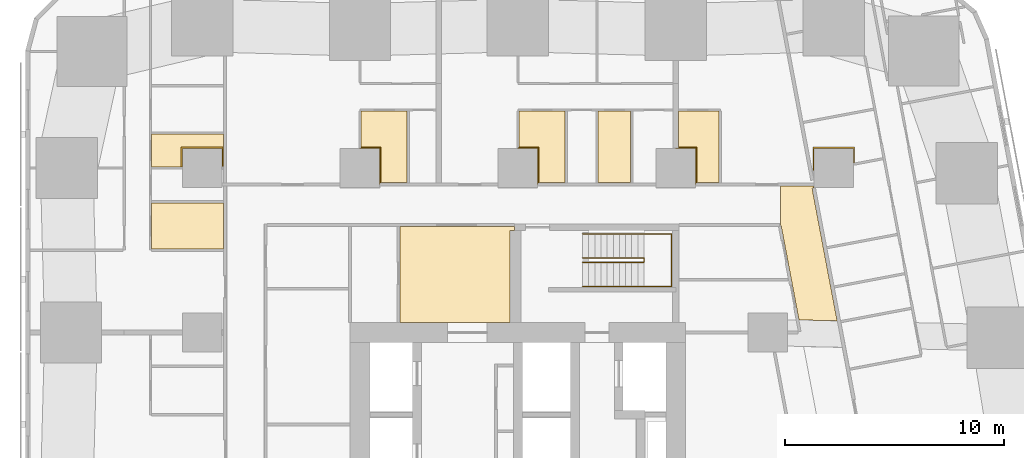
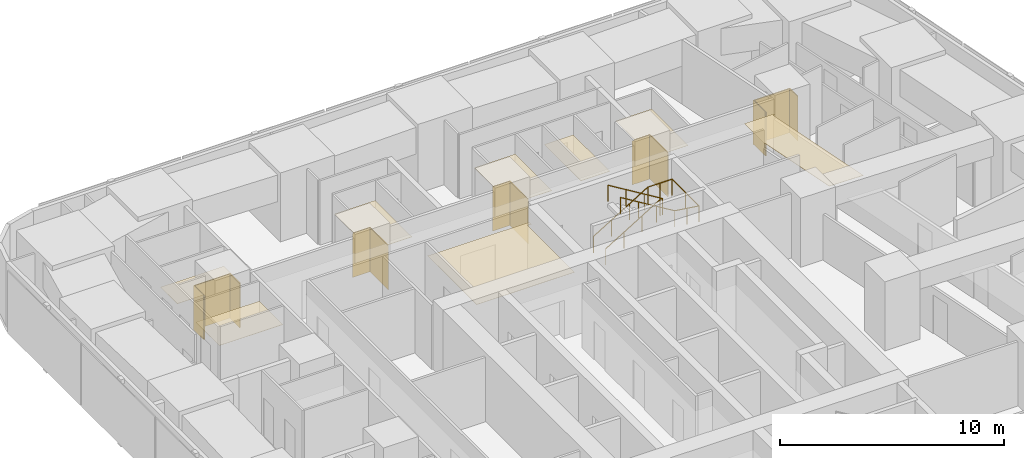
# One storey, part 16 of 16: 13 coverings, 2 railings.
"""IFC4 building model written with IfcOpenShell, lengths in metres."""

from ifc_helpers import new_model, si_unit, direction, frame, origin, origin_2d, place, context, subcontext, project, spatial, polyline, circle, outline, extrude, material, layer, layer_set, type_object, element, save


model = new_model("IFC4")

# Units and contexts
model_context = context("Model", 3, precision=1e-05, world=origin(), true_north=direction((0.0, 1.0)))
body_context = subcontext(model_context, "Body", "Model", "MODEL_VIEW")
ifc_project = project(units=[si_unit("LENGTHUNIT", "METRE"), si_unit("AREAUNIT", "SQUARE_METRE"), si_unit("VOLUMEUNIT", "CUBIC_METRE"), si_unit("PLANEANGLEUNIT", "RADIAN"), si_unit("MASSUNIT", "GRAM", prefix="KILO")], contexts=[model_context])

# Site, building, storey
site_placement = place(None, origin())
site = spatial("IfcSite", under=ifc_project, at=site_placement, CompositionType="ELEMENT")
building_placement = place(site_placement, origin())
building = spatial("IfcBuilding", under=site, at=building_placement, Name="Sheger Commons Tower", CompositionType="ELEMENT")
storey_placement = place(building_placement, frame((0.0, 0.0, 53.75)))
storey = spatial("IfcBuildingStorey", under=building, at=storey_placement, Name="L13", CompositionType="ELEMENT", Elevation=53.75)

# Railings
ifc_material_1 = material(Name="Steel handrail, black powder-coated", Category="steel")
railing_type = type_object("IfcRailingType", Name="HANDRAIL 900", PredefinedType="HANDRAIL", material=ifc_material_1)
railing_1_placement = place(storey_placement, frame((24.550048828125, 33.39990234375, 0.17041015625)))
element("IfcRailing", 1, at=railing_1_placement, inside=storey, type_object=railing_type, Name="Stair S2 handrail L13", PredefinedType="HANDRAIL", context=body_context, shape_type="SweptSolid", body=[
    extrude(circle(Radius=0.02392578125, at=origin_2d()), frame((0.0, 0.0, 0.8759765625), z_axis=(0.854169791009, 0.0, 0.51999420009), x_axis=(0.0, 1.0, 0.0)), (0.0, 0.0, 1.0), 3.278076171875),
    extrude(circle(Radius=0.02392578125, at=origin_2d()), frame((2.800048828125, 0.0, 2.58056640625), z_axis=(0.0, -0.761090297175, 0.648645943136), x_axis=(1.0, 0.0, 0.0)), (0.0, 0.0, 1.0), 0.2626953125),
    extrude(circle(Radius=0.02392578125, at=origin_2d()), frame((2.800048828125, -0.199951171875, 2.7509765625), z_axis=(-0.854169791009, 0.0, 0.51999420009), x_axis=(0.0, -1.0, 0.0)), (0.0, 0.0, 1.0), 3.278076171875),
    extrude(circle(Radius=0.02099609375, at=origin_2d()), origin(), (0.0, 0.0, 1.0), 0.851806640625),
    extrude(circle(Radius=0.02099609375, at=origin_2d()), frame((0.933349609375, 0.0, 0.568115234375)), (0.0, 0.0, 1.0), 0.851806640625),
    extrude(circle(Radius=0.02099609375, at=origin_2d()), frame((1.86669921875, 0.0, 1.136474609375)), (0.0, 0.0, 1.0), 0.851806640625),
    extrude(circle(Radius=0.02099609375, at=origin_2d()), frame((2.800048828125, 0.0, 1.70458984375)), (0.0, 0.0, 1.0), 0.851806640625),
    extrude(circle(Radius=0.02099609375, at=origin_2d()), frame((2.800048828125, -0.199951171875, 1.875)), (0.0, 0.0, 1.0), 0.851806640625),
    extrude(circle(Radius=0.02099609375, at=origin_2d()), frame((1.86669921875, -0.199951171875, 2.443115234375)), (0.0, 0.0, 1.0), 0.851806640625),
    extrude(circle(Radius=0.02099609375, at=origin_2d()), frame((0.933349609375, -0.199951171875, 3.011474609375)), (0.0, 0.0, 1.0), 0.851806640625),
    extrude(circle(Radius=0.02099609375, at=origin_2d()), frame((0.0, -0.199951171875, 3.57958984375)), (0.0, 0.0, 1.0), 0.851806640625),
])
railing_2_placement = place(storey_placement, frame((24.550048828125, 34.5, 0.17041015625)))
element("IfcRailing", 2, at=railing_2_placement, inside=storey, type_object=railing_type, Name="Stair S2 handrail L13", PredefinedType="HANDRAIL", context=body_context, shape_type="SweptSolid", body=[
    extrude(circle(Radius=0.02392578125, at=origin_2d()), frame((0.0, 0.0, 0.8759765625), z_axis=(0.854169791009, 0.0, 0.51999420009), x_axis=(0.0, 1.0, 0.0)), (0.0, 0.0, 1.0), 3.278076171875),
    extrude(circle(Radius=0.02392578125, at=origin_2d()), frame((2.800048828125, 0.0, 2.58056640625), z_axis=(1.0, 0.0, 0.0), x_axis=(0.0, 1.0, 0.0)), (0.0, 0.0, 1.0), 1.25),
    extrude(circle(Radius=0.02392578125, at=origin_2d()), frame((4.050048828125, 0.0, 2.58056640625), z_axis=(0.0, -1.0, 0.0), x_axis=(1.0, 0.0, 0.0)), (0.0, 0.0, 1.0), 2.39990234375),
    extrude(circle(Radius=0.02392578125, at=origin_2d()), frame((4.050048828125, -2.39990234375, 2.58056640625), z_axis=(-0.990834877927, 0.0, 0.135078661092), x_axis=(0.0, -1.0, 0.0)), (0.0, 0.0, 1.0), 1.261474609375),
    extrude(circle(Radius=0.02392578125, at=origin_2d()), frame((2.800048828125, -2.39990234375, 2.7509765625), z_axis=(-0.854169791009, 0.0, 0.51999420009), x_axis=(0.0, -1.0, 0.0)), (0.0, 0.0, 1.0), 3.278076171875),
    extrude(circle(Radius=0.02099609375, at=origin_2d()), origin(), (0.0, 0.0, 1.0), 0.851806640625),
    extrude(circle(Radius=0.02099609375, at=origin_2d()), frame((0.933349609375, 0.0, 0.568115234375)), (0.0, 0.0, 1.0), 0.851806640625),
    extrude(circle(Radius=0.02099609375, at=origin_2d()), frame((1.86669921875, 0.0, 1.136474609375)), (0.0, 0.0, 1.0), 0.851806640625),
    extrude(circle(Radius=0.02099609375, at=origin_2d()), frame((2.800048828125, 0.0, 1.70458984375)), (0.0, 0.0, 1.0), 0.851806640625),
    extrude(circle(Radius=0.02099609375, at=origin_2d()), frame((3.425048828125, 0.0, 1.70458984375)), (0.0, 0.0, 1.0), 0.851806640625),
    extrude(circle(Radius=0.02099609375, at=origin_2d()), frame((4.050048828125, 0.0, 1.70458984375)), (0.0, 0.0, 1.0), 0.851806640625),
    extrude(circle(Radius=0.02099609375, at=origin_2d()), frame((4.050048828125, -1.199951171875, 1.70458984375)), (0.0, 0.0, 1.0), 0.851806640625),
    extrude(circle(Radius=0.02099609375, at=origin_2d()), frame((4.050048828125, -2.39990234375, 1.70458984375)), (0.0, 0.0, 1.0), 0.851806640625),
    extrude(circle(Radius=0.02099609375, at=origin_2d()), frame((3.425048828125, -2.39990234375, 1.789794921875)), (0.0, 0.0, 1.0), 0.851806640625),
    extrude(circle(Radius=0.02099609375, at=origin_2d()), frame((2.800048828125, -2.39990234375, 1.875)), (0.0, 0.0, 1.0), 0.851806640625),
    extrude(circle(Radius=0.02099609375, at=origin_2d()), frame((1.86669921875, -2.39990234375, 2.443115234375)), (0.0, 0.0, 1.0), 0.851806640625),
    extrude(circle(Radius=0.02099609375, at=origin_2d()), frame((0.933349609375, -2.39990234375, 3.011474609375)), (0.0, 0.0, 1.0), 0.851806640625),
    extrude(circle(Radius=0.02099609375, at=origin_2d()), frame((0.0, -2.39990234375, 3.57958984375)), (0.0, 0.0, 1.0), 0.851806640625),
])

# Coverings
ifc_material_2 = material(Name="Moisture-resistant gypsum plasterboard 15 mm on a suspended galvanised steel grid", Category="steel")
ifc_layer_1 = layer(ifc_material_2, 0.014892578125)
ifc_layer_set_1 = layer_set([ifc_layer_1], Name="MOISTURE-RESISTANT CEILING 15")
covering_type_1 = type_object("IfcCoveringType", Name="MOISTURE-RESISTANT CEILING 15", PredefinedType="CEILING", material=ifc_layer_set_1)
covering_1_placement = place(storey_placement, frame((0.0, 0.0, 2.39990234375)))
element("IfcCovering", 3, at=covering_1_placement, inside=storey, type_object=covering_type_1, Name="L13-04.B1 ceiling", PredefinedType="CEILING", context=body_context, shape_type="SweptSolid", body=[
    extrude(outline(polyline([(4.905029296875, 33.804931640625), (8.169921875, 33.804931640625), (8.169921875, 35.905029296875), (4.905029296875, 35.905029296875), (4.905029296875, 33.804931640625)])), origin(), (0.0, 0.0, 1.0), 0.01513671875),
])
covering_2_placement = place(storey_placement, frame((0.0, 0.0, 2.39990234375)))
element("IfcCovering", 4, at=covering_2_placement, inside=storey, type_object=covering_type_1, Name="L13-04.B2 ceiling", PredefinedType="CEILING", context=body_context, shape_type="SweptSolid", body=[
    extrude(outline(polyline([(4.905029296875, 37.554931640625), (6.294921875, 37.554931640625), (6.294921875, 38.405029296875), (8.10498046875, 38.405029296875), (8.10498046875, 37.554931640625), (8.169921875, 37.554931640625), (8.169921875, 39.044921875), (4.905029296875, 39.044921875), (4.905029296875, 37.554931640625)])), origin(), (0.0, 0.0, 1.0), 0.01513671875),
])
covering_3_placement = place(storey_placement, frame((0.0, 0.0, 2.39990234375)))
element("IfcCovering", 5, at=covering_3_placement, inside=storey, type_object=covering_type_1, Name="L13-12.B1 ceiling", PredefinedType="CEILING", context=body_context, shape_type="SweptSolid", body=[
    extrude(outline(polyline([(15.304931640625, 36.830078125), (16.554931640625, 36.830078125), (16.554931640625, 40.094970703125), (14.455078125, 40.094970703125), (14.455078125, 38.405029296875), (15.304931640625, 38.405029296875), (15.304931640625, 36.830078125)])), origin(), (0.0, 0.0, 1.0), 0.01513671875),
])
covering_4_placement = place(storey_placement, frame((0.0, 0.0, 2.39990234375)))
element("IfcCovering", 6, at=covering_4_placement, inside=storey, type_object=covering_type_1, Name="L13-13.B1 ceiling", PredefinedType="CEILING", context=body_context, shape_type="SweptSolid", body=[
    extrude(outline(polyline([(22.5048828125, 36.830078125), (23.7548828125, 36.830078125), (23.7548828125, 40.094970703125), (21.655029296875, 40.094970703125), (21.655029296875, 38.405029296875), (22.5048828125, 38.405029296875), (22.5048828125, 36.830078125)])), origin(), (0.0, 0.0, 1.0), 0.01513671875),
])
covering_5_placement = place(storey_placement, frame((0.0, 0.0, 2.39990234375)))
element("IfcCovering", 7, at=covering_5_placement, inside=storey, type_object=covering_type_1, Name="L13-13.B2 ceiling", PredefinedType="CEILING", context=body_context, shape_type="SweptSolid", body=[
    extrude(outline(polyline([(25.2548828125, 36.830078125), (26.7451171875, 36.830078125), (26.7451171875, 40.094970703125), (25.2548828125, 40.094970703125), (25.2548828125, 36.830078125)])), origin(), (0.0, 0.0, 1.0), 0.01513671875),
])
covering_6_placement = place(storey_placement, frame((0.0, 0.0, 2.39990234375)))
element("IfcCovering", 8, at=covering_6_placement, inside=storey, type_object=covering_type_1, Name="L13-14.B1 ceiling", PredefinedType="CEILING", context=body_context, shape_type="SweptSolid", body=[
    extrude(outline(polyline([(29.705078125, 36.830078125), (30.77392578125, 36.830078125), (30.77392578125, 40.094970703125), (28.929931640625, 40.094970703125), (28.929931640625, 38.405029296875), (29.705078125, 38.405029296875), (29.705078125, 36.830078125)])), origin(), (0.0, 0.0, 1.0), 0.01513671875),
])
ifc_material_3 = material(Name="Gypsum plasterboard 15 mm on a suspended steel grid", Category="steel")
ifc_layer_2 = layer(ifc_material_3, 0.014892578125)
ifc_layer_set_2 = layer_set([ifc_layer_2], Name="SUSPENDED CEILING 15")
covering_type_2 = type_object("IfcCoveringType", Name="SUSPENDED CEILING 15", PredefinedType="CEILING", material=ifc_layer_set_2)
covering_7_placement = place(storey_placement, frame((0.0, 0.0, 2.699951171875)))
element("IfcCovering", 9, at=covering_7_placement, inside=storey, type_object=covering_type_2, Name="L13-CO ceiling", PredefinedType="CEILING", context=body_context, shape_type="SweptSolid", body=[
    extrude(outline(polyline([(36.155029296875, 30.533935546875), (35.013916015625, 36.574951171875), (35.092041015625, 36.590087890625), (35.076904296875, 36.669921875), (33.572998046875, 36.669921875), (33.572998046875, 34.947998046875), (33.571044921875, 34.947998046875), (33.589111328125, 34.85205078125), (33.60595703125, 34.85498046875), (34.416015625, 30.572998046875), (36.155029296875, 30.533935546875)])), origin(), (0.0, 0.0, 1.0), 0.01513671875),
])
covering_8_placement = place(storey_placement, frame((0.0, 0.0, 2.699951171875)))
element("IfcCovering", 10, at=covering_8_placement, inside=storey, type_object=covering_type_2, Name="L13-SVN1 ceiling", PredefinedType="CEILING", context=body_context, shape_type="SweptSolid", body=[
    extrude(outline(polyline([(16.217041015625, 30.455078125), (21.2451171875, 30.455078125), (21.2451171875, 34.655029296875), (21.445068359375, 34.655029296875), (21.445068359375, 34.83203125), (16.217041015625, 34.83203125), (16.217041015625, 30.455078125)])), origin(), (0.0, 0.0, 1.0), 0.01513671875),
])
ifc_material_4 = material(Name="Moisture-resistant gypsum board 12.5 mm on 25 mm treated timber battens, tanked and tiled", Category="wood")
ifc_layer_3 = layer(ifc_material_4, 0.050048828125)
ifc_layer_set_3 = layer_set([ifc_layer_3], Name="WET-ROOM COLUMN LINING")
covering_type_3 = type_object("IfcCoveringType", Name="WET-ROOM COLUMN LINING", PredefinedType="CLADDING", material=ifc_layer_set_3)
covering_9_placement = place(storey_placement, origin())
element("IfcCovering", 11, at=covering_9_placement, inside=storey, type_object=covering_type_3, Name="Shower room column lining C8 L13", PredefinedType="CLADDING", context=body_context, shape_type="SweptSolid", body=[
    extrude(outline(polyline([(8.14990234375, 38.449951171875), (8.14990234375, 37.550048828125), (8.10107421875, 37.550048828125), (8.10107421875, 37.5), (8.10009765625, 37.5), (8.10009765625, 38.39990234375), (6.300048828125, 38.39990234375), (6.300048828125, 37.5), (6.299072265625, 37.5), (6.299072265625, 37.550048828125), (6.25, 37.550048828125), (6.25, 38.449951171875), (8.14990234375, 38.449951171875)])), origin(), (0.0, 0.0, 1.0), 2.39990234375),
])
covering_10_placement = place(storey_placement, origin())
element("IfcCovering", 12, at=covering_10_placement, inside=storey, type_object=covering_type_3, Name="Bathroom column lining C8 L13", PredefinedType="CLADDING", context=body_context, shape_type="SweptSolid", body=[
    extrude(outline(polyline([(15.35009765625, 36.824951171875), (15.301025390625, 36.824951171875), (15.301025390625, 36.75), (15.300048828125, 36.75), (15.300048828125, 38.39990234375), (14.39990234375, 38.39990234375), (14.39990234375, 38.40087890625), (14.449951171875, 38.40087890625), (14.449951171875, 38.449951171875), (15.35009765625, 38.449951171875), (15.35009765625, 36.824951171875)])), origin(), (0.0, 0.0, 1.0), 2.39990234375),
])
covering_11_placement = place(storey_placement, origin())
element("IfcCovering", 13, at=covering_11_placement, inside=storey, type_object=covering_type_3, Name="Bathroom column lining C8 L13", PredefinedType="CLADDING", context=body_context, shape_type="SweptSolid", body=[
    extrude(outline(polyline([(22.550048828125, 36.824951171875), (22.5009765625, 36.824951171875), (22.5009765625, 36.75), (22.5, 36.75), (22.5, 38.39990234375), (21.60009765625, 38.39990234375), (21.60009765625, 38.40087890625), (21.64990234375, 38.40087890625), (21.64990234375, 38.449951171875), (22.550048828125, 38.449951171875), (22.550048828125, 36.824951171875)])), origin(), (0.0, 0.0, 1.0), 2.39990234375),
])
covering_12_placement = place(storey_placement, origin())
element("IfcCovering", 14, at=covering_12_placement, inside=storey, type_object=covering_type_3, Name="Shower room column lining C8 L13", PredefinedType="CLADDING", context=body_context, shape_type="SweptSolid", body=[
    extrude(outline(polyline([(29.75, 36.824951171875), (29.700927734375, 36.824951171875), (29.700927734375, 36.75), (29.699951171875, 36.75), (29.699951171875, 38.39990234375), (28.800048828125, 38.39990234375), (28.800048828125, 38.40087890625), (28.925048828125, 38.40087890625), (28.925048828125, 38.449951171875), (29.75, 38.449951171875), (29.75, 36.824951171875)])), origin(), (0.0, 0.0, 1.0), 2.39990234375),
])
covering_13_placement = place(storey_placement, origin())
element("IfcCovering", 15, at=covering_13_placement, inside=storey, type_object=covering_type_3, Name="Laundry room column lining C8 L13", PredefinedType="CLADDING", context=body_context, shape_type="SweptSolid", body=[
    extrude(outline(polyline([(36.949951171875, 38.449951171875), (36.949951171875, 37.72998046875), (36.90087890625, 37.720947265625), (36.909912109375, 37.672119140625), (36.89990234375, 37.669921875), (36.89990234375, 38.39990234375), (35.10009765625, 38.39990234375), (35.10009765625, 37.330078125), (35.090087890625, 37.327880859375), (35.0810546875, 37.376953125), (35.050048828125, 37.37109375), (35.050048828125, 38.449951171875), (36.949951171875, 38.449951171875)])), origin(), (0.0, 0.0, 1.0), 2.39990234375),
])

save(model, "model.ifc")
